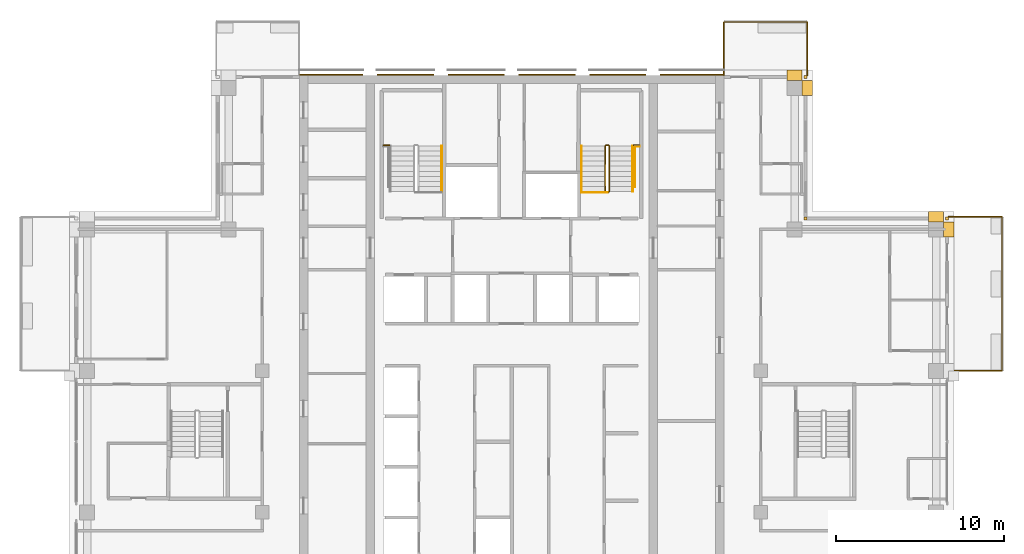
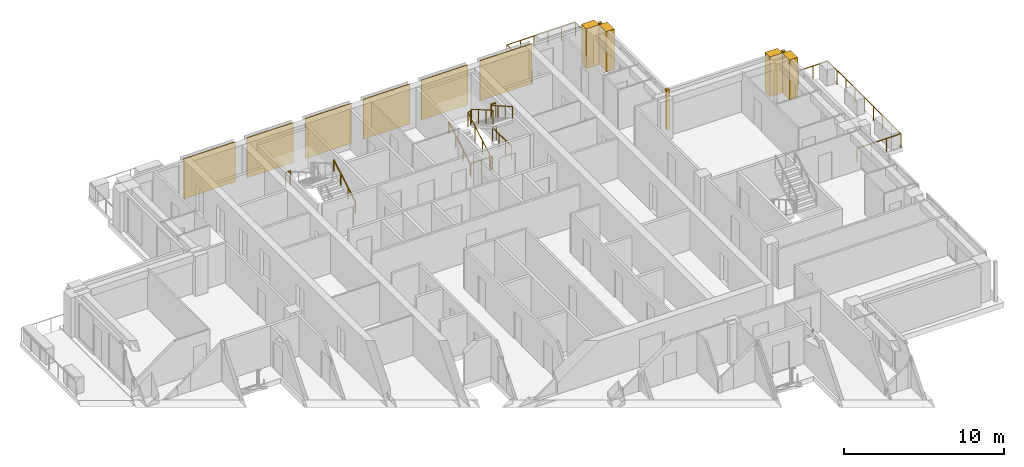
# One storey, part 15 of 15: 13 coverings, 10 railings.
"""IFC4 building model written with IfcOpenShell, lengths in metres."""

from ifc_helpers import new_model, si_unit, direction, frame, origin, origin_2d, place, context, subcontext, project, spatial, polyline, rectangle, outline, extrude, material, type_object, element, save


model = new_model("IFC4")

# Units and contexts
model_context = context("Model", 3, precision=1e-05, world=origin(), true_north=direction((0.0, 1.0)))
body_context = subcontext(model_context, "Body", "Model", "MODEL_VIEW")
ifc_project = project(units=[si_unit("LENGTHUNIT", "METRE"), si_unit("AREAUNIT", "SQUARE_METRE"), si_unit("VOLUMEUNIT", "CUBIC_METRE"), si_unit("PLANEANGLEUNIT", "RADIAN"), si_unit("MASSUNIT", "GRAM", prefix="KILO")], contexts=[model_context])

# Site, building, storey
site_placement = place(None, origin())
site = spatial("IfcSite", under=ifc_project, at=site_placement, CompositionType="ELEMENT")
building_placement = place(site_placement, origin())
building = spatial("IfcBuilding", under=site, at=building_placement, Name="Vermilion Ogive Tower", CompositionType="ELEMENT")
storey_placement = place(building_placement, frame((0.0, 0.0, 237.25)))
storey = spatial("IfcBuildingStorey", under=building, at=storey_placement, Name="L62", CompositionType="ELEMENT", Elevation=237.25)

# Railings
ifc_material_1 = material(Name="Stainless steel and glass", Category="steel")
railing_type_1 = type_object("IfcRailingType", Name="Balcony guard", PredefinedType="GUARDRAIL", material=ifc_material_1)
railing_1_placement = place(storey_placement, frame((25.949951171875, 4.199951171875, -0.0400390625)))
element("IfcRailing", 1, at=railing_1_placement, inside=storey, type_object=railing_type_1, Name="Guard E03", PredefinedType="GUARDRAIL", context=body_context, shape_type="SweptSolid", body=[
    extrude(rectangle(XDim=0.048095703125, YDim=0.048095703125, at=origin_2d()), frame((0.0, 0.0, 1.076171875), z_axis=(1.0, 0.0, 0.0), x_axis=(0.0, 1.0, 0.0)), (0.0, 0.0, 1.0), 3.16015625),
    extrude(rectangle(XDim=0.048095703125, YDim=0.048095703125, at=origin_2d()), frame((3.16015625, 0.0, 1.076171875), z_axis=(0.0, 1.0, 0.0), x_axis=(-1.0, 0.0, 0.0)), (0.0, 0.0, 1.0), 9.150146484375),
    extrude(rectangle(XDim=0.048095703125, YDim=0.048095703125, at=origin_2d()), frame((3.16015625, 9.150146484375, 1.076171875), z_axis=(-1.0, 0.0, 0.0), x_axis=(0.0, -1.0, 0.0)), (0.0, 0.0, 1.0), 3.16015625),
    extrude(rectangle(XDim=0.0419921875, YDim=0.0419921875, at=origin_2d()), origin(), (0.0, 0.0, 1.0), 1.052001953125),
    extrude(rectangle(XDim=0.0419921875, YDim=0.0419921875, at=origin_2d()), frame((1.053466796875, 0.0, 0.0)), (0.0, 0.0, 1.0), 1.052001953125),
    extrude(rectangle(XDim=0.0419921875, YDim=0.0419921875, at=origin_2d()), frame((2.106689453125, 0.0, 0.0)), (0.0, 0.0, 1.0), 1.052001953125),
    extrude(rectangle(XDim=0.0419921875, YDim=0.0419921875, at=origin_2d()), frame((3.16015625, 0.0, 0.0)), (0.0, 0.0, 1.0), 1.052001953125),
    extrude(rectangle(XDim=0.0419921875, YDim=0.0419921875, at=origin_2d()), frame((3.16015625, 1.143798828125, 0.0)), (0.0, 0.0, 1.0), 1.052001953125),
    extrude(rectangle(XDim=0.0419921875, YDim=0.0419921875, at=origin_2d()), frame((3.16015625, 2.28759765625, 0.0)), (0.0, 0.0, 1.0), 1.052001953125),
    extrude(rectangle(XDim=0.0419921875, YDim=0.0419921875, at=origin_2d()), frame((3.16015625, 3.431396484375, 0.0)), (0.0, 0.0, 1.0), 1.052001953125),
    extrude(rectangle(XDim=0.0419921875, YDim=0.0419921875, at=origin_2d()), frame((3.16015625, 4.5751953125, 0.0)), (0.0, 0.0, 1.0), 1.052001953125),
    extrude(rectangle(XDim=0.0419921875, YDim=0.0419921875, at=origin_2d()), frame((3.16015625, 5.71875, 0.0)), (0.0, 0.0, 1.0), 1.052001953125),
    extrude(rectangle(XDim=0.0419921875, YDim=0.0419921875, at=origin_2d()), frame((3.16015625, 6.862548828125, 0.0)), (0.0, 0.0, 1.0), 1.052001953125),
    extrude(rectangle(XDim=0.0419921875, YDim=0.0419921875, at=origin_2d()), frame((3.16015625, 8.00634765625, 0.0)), (0.0, 0.0, 1.0), 1.052001953125),
    extrude(rectangle(XDim=0.0419921875, YDim=0.0419921875, at=origin_2d()), frame((3.16015625, 9.150146484375, 0.0)), (0.0, 0.0, 1.0), 1.052001953125),
    extrude(rectangle(XDim=0.0419921875, YDim=0.0419921875, at=origin_2d()), frame((2.106689453125, 9.150146484375, 0.0)), (0.0, 0.0, 1.0), 1.052001953125),
    extrude(rectangle(XDim=0.0419921875, YDim=0.0419921875, at=origin_2d()), frame((1.053466796875, 9.150146484375, 0.0)), (0.0, 0.0, 1.0), 1.052001953125),
    extrude(rectangle(XDim=0.0419921875, YDim=0.0419921875, at=origin_2d()), frame((0.0, 9.150146484375, 0.0)), (0.0, 0.0, 1.0), 1.052001953125),
])
railing_2_placement = place(storey_placement, frame((17.550048828125, 21.75, -0.0400390625)))
element("IfcRailing", 2, at=railing_2_placement, inside=storey, type_object=railing_type_1, Name="Guard N101", PredefinedType="GUARDRAIL", context=body_context, shape_type="SweptSolid", body=[
    extrude(rectangle(XDim=0.048095703125, YDim=0.048095703125, at=origin_2d()), frame((0.0, 0.0, 1.076171875), z_axis=(0.0, 1.0, 0.0), x_axis=(-1.0, 0.0, 0.0)), (0.0, 0.0, 1.0), 3.159912109375),
    extrude(rectangle(XDim=0.048095703125, YDim=0.048095703125, at=origin_2d()), frame((0.0, 3.159912109375, 1.076171875), z_axis=(-1.0, 0.0, 0.0), x_axis=(0.0, -1.0, 0.0)), (0.0, 0.0, 1.0), 4.949951171875),
    extrude(rectangle(XDim=0.048095703125, YDim=0.048095703125, at=origin_2d()), frame((-4.949951171875, 3.159912109375, 1.076171875), z_axis=(0.0, -1.0, 0.0), x_axis=(1.0, 0.0, 0.0)), (0.0, 0.0, 1.0), 3.159912109375),
    extrude(rectangle(XDim=0.0419921875, YDim=0.0419921875, at=origin_2d()), origin(), (0.0, 0.0, 1.0), 1.052001953125),
    extrude(rectangle(XDim=0.0419921875, YDim=0.0419921875, at=origin_2d()), frame((0.0, 1.05322265625, 0.0)), (0.0, 0.0, 1.0), 1.052001953125),
    extrude(rectangle(XDim=0.0419921875, YDim=0.0419921875, at=origin_2d()), frame((0.0, 2.106689453125, 0.0)), (0.0, 0.0, 1.0), 1.052001953125),
    extrude(rectangle(XDim=0.0419921875, YDim=0.0419921875, at=origin_2d()), frame((0.0, 3.159912109375, 0.0)), (0.0, 0.0, 1.0), 1.052001953125),
    extrude(rectangle(XDim=0.0419921875, YDim=0.0419921875, at=origin_2d()), frame((-0.989990234375, 3.159912109375, 0.0)), (0.0, 0.0, 1.0), 1.052001953125),
    extrude(rectangle(XDim=0.0419921875, YDim=0.0419921875, at=origin_2d()), frame((-1.97998046875, 3.159912109375, 0.0)), (0.0, 0.0, 1.0), 1.052001953125),
    extrude(rectangle(XDim=0.0419921875, YDim=0.0419921875, at=origin_2d()), frame((-2.969970703125, 3.159912109375, 0.0)), (0.0, 0.0, 1.0), 1.052001953125),
    extrude(rectangle(XDim=0.0419921875, YDim=0.0419921875, at=origin_2d()), frame((-3.9599609375, 3.159912109375, 0.0)), (0.0, 0.0, 1.0), 1.052001953125),
    extrude(rectangle(XDim=0.0419921875, YDim=0.0419921875, at=origin_2d()), frame((-4.949951171875, 3.159912109375, 0.0)), (0.0, 0.0, 1.0), 1.052001953125),
    extrude(rectangle(XDim=0.0419921875, YDim=0.0419921875, at=origin_2d()), frame((-4.949951171875, 2.106689453125, 0.0)), (0.0, 0.0, 1.0), 1.052001953125),
    extrude(rectangle(XDim=0.0419921875, YDim=0.0419921875, at=origin_2d()), frame((-4.949951171875, 1.05322265625, 0.0)), (0.0, 0.0, 1.0), 1.052001953125),
    extrude(rectangle(XDim=0.0419921875, YDim=0.0419921875, at=origin_2d()), frame((-4.949951171875, 0.0, 0.0)), (0.0, 0.0, 1.0), 1.052001953125),
])
ifc_material_2 = material(Name="Steel S355 painted", Category="steel")
railing_type_2 = type_object("IfcRailingType", Name="Stair guard 1100", PredefinedType="GUARDRAIL", material=ifc_material_2)
railing_3_placement = place(storey_placement, frame((5.75, 14.800048828125, 0.0)))
element("IfcRailing", 3, at=railing_3_placement, inside=storey, type_object=railing_type_2, Name="L62 ST2 stair guard 4", PredefinedType="GUARDRAIL", context=body_context, shape_type="SweptSolid", body=[
    extrude(rectangle(XDim=0.048095703125, YDim=0.048095703125, at=origin_2d()), frame((0.0, 0.0, 1.076171875), z_axis=(-1.0, 0.0, 0.0), x_axis=(0.0, -1.0, 0.0)), (0.0, 0.0, 1.0), 0.14990234375),
    extrude(rectangle(XDim=0.048095703125, YDim=0.048095703125, at=origin_2d()), frame((-0.14990234375, 0.0, 1.076171875), z_axis=(-0.268277960024, 0.268277960024, 0.925231793839), x_axis=(-0.707106781187, -0.707106781187, 0.0)), (0.0, 0.0, 1.0), 0.1865234375),
    extrude(rectangle(XDim=0.048095703125, YDim=0.048095703125, at=origin_2d()), frame((-0.199951171875, 0.050048828125, 1.24853515625), z_axis=(0.0, 0.866903762492, 0.498475542607), x_axis=(-1.0, 0.0, 0.0)), (0.0, 0.0, 1.0), 3.114501953125),
    extrude(rectangle(XDim=0.048095703125, YDim=0.048095703125, at=origin_2d()), frame((-0.199951171875, 2.75, 2.80126953125), z_axis=(0.707106781187, 0.707106781187, 0.0), x_axis=(-0.707106781187, 0.707106781187, 0.0)), (0.0, 0.0, 1.0), 0.07080078125),
    extrude(rectangle(XDim=0.048095703125, YDim=0.048095703125, at=origin_2d()), frame((-0.14990234375, 2.800048828125, 2.80126953125), z_axis=(1.0, 0.0, 0.0), x_axis=(0.0, 1.0, 0.0)), (0.0, 0.0, 1.0), 0.14990234375),
    extrude(rectangle(XDim=0.048095703125, YDim=0.048095703125, at=origin_2d()), frame((0.0, 2.800048828125, 2.80126953125), z_axis=(0.268603158521, -0.268603158521, 0.925043072762), x_axis=(0.707106781187, 0.707106781187, 0.0)), (0.0, 0.0, 1.0), 0.186279296875),
    extrude(rectangle(XDim=0.048095703125, YDim=0.048095703125, at=origin_2d()), frame((0.050048828125, 2.75, 2.9736328125), z_axis=(0.0, -0.866903762492, 0.498475542607), x_axis=(1.0, 0.0, 0.0)), (0.0, 0.0, 1.0), 3.114501953125),
    extrude(rectangle(XDim=0.0419921875, YDim=0.0419921875, at=origin_2d()), origin(), (0.0, 0.0, 1.0), 1.052001953125),
    extrude(rectangle(XDim=0.0419921875, YDim=0.0419921875, at=origin_2d()), frame((-0.14990234375, 0.0, 0.0)), (0.0, 0.0, 1.0), 1.052001953125),
    extrude(rectangle(XDim=0.0419921875, YDim=0.0419921875, at=origin_2d()), frame((-0.199951171875, 0.050048828125, 0.172607421875)), (0.0, 0.0, 1.0), 1.052001953125),
    extrude(rectangle(XDim=0.0419921875, YDim=0.0419921875, at=origin_2d()), frame((-0.199951171875, 0.949951171875, 0.690185546875)), (0.0, 0.0, 1.0), 1.052001953125),
    extrude(rectangle(XDim=0.0419921875, YDim=0.0419921875, at=origin_2d()), frame((-0.199951171875, 1.85009765625, 1.20751953125)), (0.0, 0.0, 1.0), 1.052001953125),
    extrude(rectangle(XDim=0.0419921875, YDim=0.0419921875, at=origin_2d()), frame((-0.199951171875, 2.75, 1.72509765625)), (0.0, 0.0, 1.0), 1.052001953125),
    extrude(rectangle(XDim=0.0419921875, YDim=0.0419921875, at=origin_2d()), frame((-0.14990234375, 2.800048828125, 1.72509765625)), (0.0, 0.0, 1.0), 1.052001953125),
    extrude(rectangle(XDim=0.0419921875, YDim=0.0419921875, at=origin_2d()), frame((0.0, 2.800048828125, 1.72509765625)), (0.0, 0.0, 1.0), 1.052001953125),
    extrude(rectangle(XDim=0.0419921875, YDim=0.0419921875, at=origin_2d()), frame((0.050048828125, 2.75, 1.8974609375)), (0.0, 0.0, 1.0), 1.052001953125),
    extrude(rectangle(XDim=0.0419921875, YDim=0.0419921875, at=origin_2d()), frame((0.050048828125, 1.85009765625, 2.4150390625)), (0.0, 0.0, 1.0), 1.052001953125),
    extrude(rectangle(XDim=0.0419921875, YDim=0.0419921875, at=origin_2d()), frame((0.050048828125, 0.949951171875, 2.932373046875)), (0.0, 0.0, 1.0), 1.052001953125),
    extrude(rectangle(XDim=0.0419921875, YDim=0.0419921875, at=origin_2d()), frame((0.050048828125, 0.050048828125, 3.449951171875)), (0.0, 0.0, 1.0), 1.052001953125),
])
for number, where, name in (
    (4, (-7.60009765625, 17.60009765625, 1.72509765625), "L62 landing guard"),
    (5, (7.25, 17.60009765625, 1.72509765625), "L62 landing guard"),
):
    element("IfcRailing", number, at=place(storey_placement, frame(where)), inside=storey, type_object=railing_type_2, Name=name, PredefinedType="GUARDRAIL", context=body_context, shape_type="SweptSolid", body=[
        extrude(rectangle(XDim=0.048095703125, YDim=0.048095703125, at=origin_2d()), frame((0.0, 0.0, 1.076171875), z_axis=(1.0, 0.0, 0.0), x_axis=(0.0, 1.0, 0.0)), (0.0, 0.0, 1.0), 0.35009765625),
        extrude(rectangle(XDim=0.0419921875, YDim=0.0419921875, at=origin_2d()), origin(), (0.0, 0.0, 1.0), 1.052001953125),
        extrude(rectangle(XDim=0.0419921875, YDim=0.0419921875, at=origin_2d()), frame((0.35009765625, 0.0, 0.0)), (0.0, 0.0, 1.0), 1.052001953125),
    ])
railing_4_placement = place(storey_placement, frame((7.599609375, 17.54296875, 0.0)))
element("IfcRailing", 6, at=railing_4_placement, inside=storey, type_object=railing_type_2, Name="L62 stair opening guard", PredefinedType="GUARDRAIL", context=body_context, shape_type="SweptSolid", body=[
    extrude(rectangle(XDim=0.048095703125, YDim=0.048095703125, at=origin_2d()), frame((0.0, 0.0, 1.076171875), z_axis=(-1.0, 0.0, 0.0), x_axis=(0.0, -1.0, 0.0)), (0.0, 0.0, 1.0), 0.2900390625),
    extrude(rectangle(XDim=0.048095703125, YDim=0.048095703125, at=origin_2d()), frame((-0.2900390625, 0.0, 1.076171875), z_axis=(0.0, -1.0, 0.0), x_axis=(1.0, 0.0, 0.0)), (0.0, 0.0, 1.0), 2.42431640625),
    extrude(rectangle(XDim=0.0419921875, YDim=0.0419921875, at=origin_2d()), origin(), (0.0, 0.0, 1.0), 1.052001953125),
    extrude(rectangle(XDim=0.0419921875, YDim=0.0419921875, at=origin_2d()), frame((-0.2900390625, 0.0, 0.0)), (0.0, 0.0, 1.0), 1.052001953125),
    extrude(rectangle(XDim=0.0419921875, YDim=0.0419921875, at=origin_2d()), frame((-0.2900390625, -0.80810546875, 0.0)), (0.0, 0.0, 1.0), 1.052001953125),
    extrude(rectangle(XDim=0.0419921875, YDim=0.0419921875, at=origin_2d()), frame((-0.2900390625, -1.6162109375, 0.0)), (0.0, 0.0, 1.0), 1.052001953125),
    extrude(rectangle(XDim=0.0419921875, YDim=0.0419921875, at=origin_2d()), frame((-0.2900390625, -2.42431640625, 0.0)), (0.0, 0.0, 1.0), 1.052001953125),
])
railing_5_placement = place(storey_placement, frame((5.699951171875, 14.7900390625, 0.0)))
element("IfcRailing", 7, at=railing_5_placement, inside=storey, type_object=railing_type_2, Name="L62 stair opening guard", PredefinedType="GUARDRAIL", context=body_context, shape_type="SweptSolid", body=[
    extrude(rectangle(XDim=0.048095703125, YDim=0.048095703125, at=origin_2d()), frame((0.0, 0.0, 1.076171875), z_axis=(-1.0, 0.0, 0.0), x_axis=(0.0, -1.0, 0.0)), (0.0, 0.0, 1.0), 1.5400390625),
    extrude(rectangle(XDim=0.0419921875, YDim=0.0419921875, at=origin_2d()), origin(), (0.0, 0.0, 1.0), 1.052001953125),
    extrude(rectangle(XDim=0.0419921875, YDim=0.0419921875, at=origin_2d()), frame((-0.77001953125, 0.0, 0.0)), (0.0, 0.0, 1.0), 1.052001953125),
    extrude(rectangle(XDim=0.0419921875, YDim=0.0419921875, at=origin_2d()), frame((-1.5400390625, 0.0, 0.0)), (0.0, 0.0, 1.0), 1.052001953125),
])
ifc_material_3 = material(Name="Stainless steel", Category="steel")
railing_type_3 = type_object("IfcRailingType", Name="Stair handrail 900", PredefinedType="HANDRAIL", material=ifc_material_3)
for number, where, name in (
    (8, (-4.14990234375, 14.85009765625, 0.172607421875), "L62 ST1 stair handrail 1"),
    (9, (4.14990234375, 14.85009765625, 0.172607421875), "L62 ST2 stair handrail 1"),
):
    element("IfcRailing", number, at=place(storey_placement, frame(where)), inside=storey, type_object=railing_type_3, Name=name, PredefinedType="HANDRAIL", context=body_context, shape_type="SweptSolid", body=[
        extrude(rectangle(XDim=0.048095703125, YDim=0.048095703125, at=origin_2d()), frame((0.0, 0.0, 0.8759765625), z_axis=(0.0, 0.866903762492, 0.498475542607), x_axis=(-1.0, 0.0, 0.0)), (0.0, 0.0, 1.0), 3.114501953125),
        extrude(rectangle(XDim=0.0419921875, YDim=0.0419921875, at=origin_2d()), origin(), (0.0, 0.0, 1.0), 0.851806640625),
        extrude(rectangle(XDim=0.0419921875, YDim=0.0419921875, at=origin_2d()), frame((0.0, 0.89990234375, 0.517578125)), (0.0, 0.0, 1.0), 0.851806640625),
        extrude(rectangle(XDim=0.0419921875, YDim=0.0419921875, at=origin_2d()), frame((0.0, 1.800048828125, 1.034912109375)), (0.0, 0.0, 1.0), 0.851806640625),
        extrude(rectangle(XDim=0.0419921875, YDim=0.0419921875, at=origin_2d()), frame((0.0, 2.699951171875, 1.552490234375)), (0.0, 0.0, 1.0), 0.851806640625),
    ])
railing_6_placement = place(storey_placement, frame((7.199951171875, 17.550048828125, 1.8974609375)))
element("IfcRailing", 10, at=railing_6_placement, inside=storey, type_object=railing_type_3, Name="L62 ST2 stair handrail 2", PredefinedType="HANDRAIL", context=body_context, shape_type="SweptSolid", body=[
    extrude(rectangle(XDim=0.048095703125, YDim=0.048095703125, at=origin_2d()), frame((0.0, 0.0, 0.8759765625), z_axis=(0.0, -0.866903762492, 0.498475542607), x_axis=(1.0, 0.0, 0.0)), (0.0, 0.0, 1.0), 3.114501953125),
    extrude(rectangle(XDim=0.0419921875, YDim=0.0419921875, at=origin_2d()), origin(), (0.0, 0.0, 1.0), 0.851806640625),
    extrude(rectangle(XDim=0.0419921875, YDim=0.0419921875, at=origin_2d()), frame((0.0, -0.89990234375, 0.517578125)), (0.0, 0.0, 1.0), 0.851806640625),
    extrude(rectangle(XDim=0.0419921875, YDim=0.0419921875, at=origin_2d()), frame((0.0, -1.800048828125, 1.034912109375)), (0.0, 0.0, 1.0), 0.851806640625),
    extrude(rectangle(XDim=0.0419921875, YDim=0.0419921875, at=origin_2d()), frame((0.0, -2.699951171875, 1.552490234375)), (0.0, 0.0, 1.0), 0.851806640625),
])

# Coverings
ifc_material_4 = material(Name="Stone cladding", Category="masonry")
covering_type_1 = type_object("IfcCoveringType", Name="Stone cladding panel", PredefinedType="CLADDING", material=ifc_material_4)
covering_1_placement = place(storey_placement, origin())
element("IfcCovering", 11, at=covering_1_placement, inside=storey, type_object=covering_type_1, Name="Stone cladding panel N1", PredefinedType="CLADDING", context=body_context, shape_type="SweptSolid", body=[
    extrude(outline(polyline([(-12.590087890625, 21.75), (-8.830078125, 21.75), (-8.830078125, 21.81005859375), (-12.590087890625, 21.81005859375), (-12.590087890625, 21.75)])), origin(), (0.0, 0.0, 1.0), 3.050048828125),
])
covering_2_placement = place(storey_placement, origin())
element("IfcCovering", 12, at=covering_2_placement, inside=storey, type_object=covering_type_1, Name="Stone cladding panel N2", PredefinedType="CLADDING", context=body_context, shape_type="SweptSolid", body=[
    extrude(outline(polyline([(-7.969970703125, 21.75), (-4.6298828125, 21.75), (-4.6298828125, 21.81005859375), (-7.969970703125, 21.81005859375), (-7.969970703125, 21.75)])), origin(), (0.0, 0.0, 1.0), 3.050048828125),
])
covering_3_placement = place(storey_placement, origin())
element("IfcCovering", 13, at=covering_3_placement, inside=storey, type_object=covering_type_1, Name="Stone cladding panel N3", PredefinedType="CLADDING", context=body_context, shape_type="SweptSolid", body=[
    extrude(outline(polyline([(-3.77001953125, 21.75), (-0.429931640625, 21.75), (-0.429931640625, 21.81005859375), (-3.77001953125, 21.81005859375), (-3.77001953125, 21.75)])), origin(), (0.0, 0.0, 1.0), 3.050048828125),
])
covering_4_placement = place(storey_placement, origin())
element("IfcCovering", 14, at=covering_4_placement, inside=storey, type_object=covering_type_1, Name="Stone cladding panel N4", PredefinedType="CLADDING", context=body_context, shape_type="SweptSolid", body=[
    extrude(outline(polyline([(0.429931640625, 21.75), (3.77001953125, 21.75), (3.77001953125, 21.81005859375), (0.429931640625, 21.81005859375), (0.429931640625, 21.75)])), origin(), (0.0, 0.0, 1.0), 3.050048828125),
])
covering_5_placement = place(storey_placement, origin())
element("IfcCovering", 15, at=covering_5_placement, inside=storey, type_object=covering_type_1, Name="Stone cladding panel N5", PredefinedType="CLADDING", context=body_context, shape_type="SweptSolid", body=[
    extrude(outline(polyline([(4.6298828125, 21.75), (7.969970703125, 21.75), (7.969970703125, 21.81005859375), (4.6298828125, 21.81005859375), (4.6298828125, 21.75)])), origin(), (0.0, 0.0, 1.0), 3.050048828125),
])
covering_6_placement = place(storey_placement, origin())
element("IfcCovering", 16, at=covering_6_placement, inside=storey, type_object=covering_type_1, Name="Stone cladding panel N6", PredefinedType="CLADDING", context=body_context, shape_type="SweptSolid", body=[
    extrude(outline(polyline([(8.830078125, 21.75), (12.590087890625, 21.75), (12.590087890625, 21.81005859375), (8.830078125, 21.81005859375), (8.830078125, 21.75)])), origin(), (0.0, 0.0, 1.0), 3.050048828125),
])
ifc_material_5 = material(Name="Stone cladding", Category="masonry")
covering_type_2 = type_object("IfcCoveringType", Name="Stone pier", PredefinedType="CLADDING", material=ifc_material_5)
covering_7_placement = place(storey_placement, origin())
element("IfcCovering", 17, at=covering_7_placement, inside=storey, type_object=covering_type_2, Name="Stone corner pier EE1", PredefinedType="CLADDING", context=body_context, shape_type="SweptSolid", body=[
    extrude(outline(polyline([(25.75, 13.14990234375), (25.75, 13.35009765625), (25.949951171875, 13.35009765625), (25.949951171875, 13.14990234375), (25.75, 13.14990234375)])), origin(), (0.0, 0.0, 1.0), 3.050048828125),
])
covering_8_placement = place(storey_placement, origin())
element("IfcCovering", 18, at=covering_8_placement, inside=storey, type_object=covering_type_2, Name="Stone corner pier X3E1", PredefinedType="CLADDING", context=body_context, shape_type="SweptSolid", body=[
    extrude(outline(polyline([(17.35009765625, 13.14990234375), (17.35009765625, 13.35009765625), (17.550048828125, 13.35009765625), (17.550048828125, 13.14990234375), (17.35009765625, 13.14990234375)])), origin(), (0.0, 0.0, 1.0), 3.050048828125),
])
covering_9_placement = place(storey_placement, origin())
element("IfcCovering", 19, at=covering_9_placement, inside=storey, type_object=covering_type_2, Name="Stone corner pier X4E1", PredefinedType="CLADDING", context=body_context, shape_type="SweptSolid", body=[
    extrude(outline(polyline([(17.35009765625, 21.550048828125), (17.35009765625, 21.75), (17.550048828125, 21.75), (17.550048828125, 21.550048828125), (17.35009765625, 21.550048828125)])), origin(), (0.0, 0.0, 1.0), 3.050048828125),
])
covering_10_placement = place(storey_placement, origin())
element("IfcCovering", 20, at=covering_10_placement, inside=storey, type_object=covering_type_2, Name="Stone pier P+0168+210X4", PredefinedType="CLADDING", context=body_context, shape_type="SweptSolid", body=[
    extrude(outline(polyline([(17.85009765625, 21.449951171875), (17.85009765625, 20.550048828125), (17.25, 20.550048828125), (17.25, 21.449951171875), (17.85009765625, 21.449951171875)])), origin(), (0.0, 0.0, 1.0), 3.050048828125),
])
covering_11_placement = place(storey_placement, origin())
element("IfcCovering", 21, at=covering_11_placement, inside=storey, type_object=covering_type_2, Name="Stone pier P+0168+210N1", PredefinedType="CLADDING", context=body_context, shape_type="SweptSolid", body=[
    extrude(outline(polyline([(17.25, 22.050048828125), (17.25, 21.449951171875), (16.35009765625, 21.449951171875), (16.35009765625, 22.050048828125), (17.25, 22.050048828125)])), origin(), (0.0, 0.0, 1.0), 3.050048828125),
])
covering_12_placement = place(storey_placement, origin())
element("IfcCovering", 22, at=covering_12_placement, inside=storey, type_object=covering_type_2, Name="Stone pier P+0252+126E", PredefinedType="CLADDING", context=body_context, shape_type="SweptSolid", body=[
    extrude(outline(polyline([(26.25, 13.050048828125), (26.25, 12.14990234375), (25.64990234375, 12.14990234375), (25.64990234375, 13.050048828125), (26.25, 13.050048828125)])), origin(), (0.0, 0.0, 1.0), 3.050048828125),
])
covering_13_placement = place(storey_placement, origin())
element("IfcCovering", 23, at=covering_13_placement, inside=storey, type_object=covering_type_2, Name="Stone pier P+0252+126X3", PredefinedType="CLADDING", context=body_context, shape_type="SweptSolid", body=[
    extrude(outline(polyline([(25.64990234375, 13.64990234375), (25.64990234375, 13.050048828125), (24.75, 13.050048828125), (24.75, 13.64990234375), (25.64990234375, 13.64990234375)])), origin(), (0.0, 0.0, 1.0), 3.050048828125),
])

save(model, "model.ifc")
